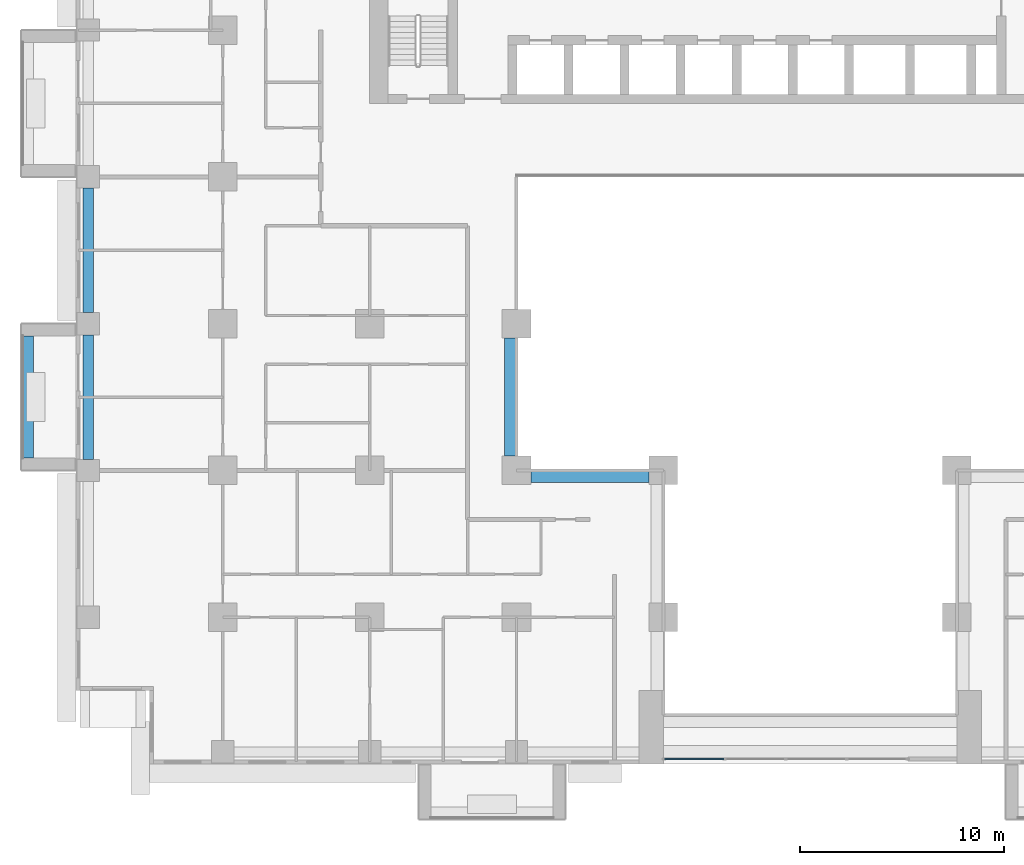
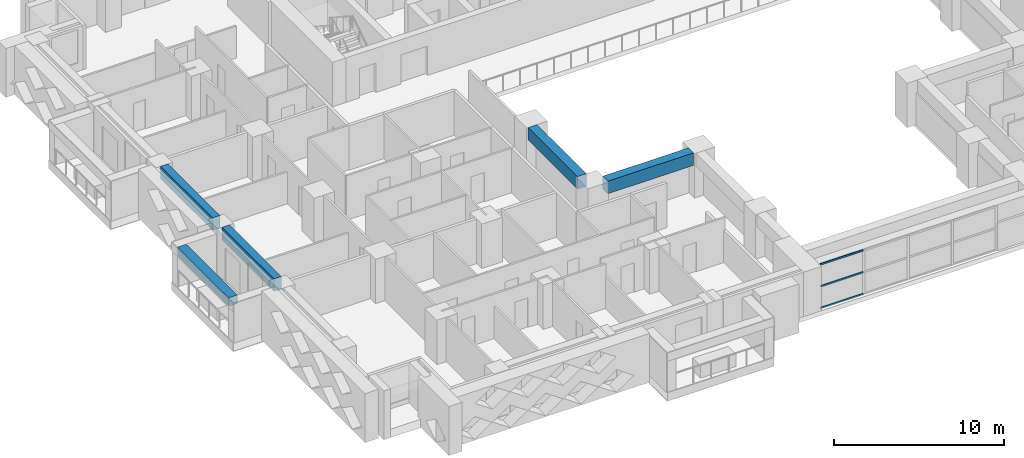
# One storey, part 3 of 17: 5 beams, 3 members, 1 element without a shape of its own.
"""IFC4 building model written with IfcOpenShell, lengths in metres."""

from ifc_helpers import new_model, si_unit, direction, frame, origin, origin_2d, place, context, subcontext, project, spatial, rectangle, extrude, source, transform, mapped, material, layer, layer_set, material_profile, profile_set, type_object, element, aggregate, save


model = new_model("IFC4")

# Units and contexts
model_context = context("Model", 3, precision=1e-05, world=origin(), true_north=direction((0.0, 1.0)))
body_context = subcontext(model_context, "Body", "Model", "MODEL_VIEW")
ifc_project = project(units=[si_unit("LENGTHUNIT", "METRE"), si_unit("AREAUNIT", "SQUARE_METRE"), si_unit("VOLUMEUNIT", "CUBIC_METRE"), si_unit("PLANEANGLEUNIT", "RADIAN"), si_unit("MASSUNIT", "GRAM", prefix="KILO")], contexts=[model_context])

# Site, building, storey
site_placement = place(None, origin())
site = spatial("IfcSite", under=ifc_project, at=site_placement, CompositionType="ELEMENT")
building_placement = place(site_placement, origin())
building = spatial("IfcBuilding", under=site, at=building_placement, Name="Saffron Iwan Residences", CompositionType="ELEMENT")
storey_placement = place(building_placement, frame((0.0, 0.0, 37.5)))
storey = spatial("IfcBuildingStorey", under=building, at=storey_placement, Name="L08", CompositionType="ELEMENT", Elevation=37.5)

# Beams
ifc_material_1 = material(Name="Concrete C60/75", Category="concrete")
ifc_material_profile_1 = material_profile(ifc_material_1, rectangle(XDim=0.5, YDim=0.89990234375, at=origin_2d()), Name="RC 500x900")
ifc_profile_set_1 = profile_set([ifc_material_profile_1], Name="Concrete C60/75")
beam_type_1 = type_object("IfcBeamType", Name="SPANDREL BEAM RC 500x900 C60/75 TOP 3180", PredefinedType="SPANDREL", material=ifc_profile_set_1)
shared_shape_1 = source(origin(), body_context, "Body", "SweptSolid", [
    extrude(rectangle(XDim=0.5, YDim=0.89990234375, at=origin_2d()), origin(), (0.0, 0.0, 1.0), 6.10009765625),
])
beam_1_placement = place(storey_placement, frame((15.0, 55.75, 2.72998046875), z_axis=(0.0, 1.0, 0.0), x_axis=(-1.0, 0.0, 0.0)))
element("IfcBeam", 1, at=beam_1_placement, inside=storey, type_object=beam_type_1, Name="Spandrel beam", PredefinedType="SPANDREL", context=body_context, shape_type="MappedRepresentation", body=[
    mapped(shared_shape_1, transform((0.0, 0.0, 0.0))),
])
shared_shape_2 = source(origin(), body_context, "Body", "SweptSolid", [
    extrude(rectangle(XDim=0.5, YDim=0.89990234375, at=origin_2d()), origin(), (0.0, 0.0, 1.0), 6.099853515625),
])
beam_2_placement = place(storey_placement, frame((15.0, 48.550048828125, 2.72998046875), z_axis=(0.0, 1.0, 0.0), x_axis=(-1.0, 0.0, 0.0)))
element("IfcBeam", 2, at=beam_2_placement, inside=storey, type_object=beam_type_1, Name="Spandrel beam", PredefinedType="SPANDREL", context=body_context, shape_type="MappedRepresentation", body=[
    mapped(shared_shape_2, transform((0.0, 0.0, 0.0))),
])
ifc_material_profile_2 = material_profile(ifc_material_1, rectangle(XDim=0.60009765625, YDim=0.89990234375, at=origin_2d()), Name="RC 600x900")
ifc_profile_set_2 = profile_set([ifc_material_profile_2], Name="Concrete C60/75")
beam_type_2 = type_object("IfcBeamType", Name="BEAM RC 600x900 C60/75 TOP 3180", PredefinedType="BEAM", material=ifc_profile_set_2)
shared_shape_3 = source(origin(), body_context, "Body", "SweptSolid", [
    extrude(rectangle(XDim=0.60009765625, YDim=0.89990234375, at=origin_2d()), origin(), (0.0, 0.0, 1.0), 5.800048828125),
])
for number, where, z_axis, x_axis, name in (
    (3, (42.5, 47.699951171875, 2.72998046875), (-1.0, 0.0, 0.0), (0.0, -1.0, 0.0), "Atrium edge beam"),
    (4, (35.699951171875, 48.699951171875, 2.72998046875), (0.0, 1.0, 0.0), (-1.0, 0.0, 0.0), "Atrium edge beam"),
):
    element("IfcBeam", number, at=place(storey_placement, frame(where, z_axis=z_axis, x_axis=x_axis)), inside=storey, type_object=beam_type_2, Name=name, PredefinedType="BEAM", context=body_context, shape_type="MappedRepresentation", body=[
        mapped(shared_shape_3, transform((0.0, 0.0, 0.0))),
    ])

# Curtain wall, members
ifc_material_2 = material(Name="Clear glass, laminated double glazed", Category="glass")
ifc_layer = layer(ifc_material_2, 0.199951171875)
ifc_layer_set = layer_set([ifc_layer], Name="Clear glass, laminated double glazed")
curtain_wall_type = type_object("IfcCurtainWallType", Name="CW-B IWAN PORTAL", PredefinedType="NOTDEFINED", material=ifc_layer_set)
curtain_wall_placement = place(storey_placement, origin())
curtain_wall = element("IfcCurtainWall", 5, at=curtain_wall_placement, inside=storey, type_object=curtain_wall_type, Name="Iwan portal glazing L08.1", PredefinedType="NOTDEFINED")
ifc_material_3 = material(Name="Aluminium 6063-T6", Category="aluminium")
ifc_material_profile_3 = material_profile(ifc_material_3, rectangle(XDim=0.06005859375, YDim=0.1201171875, at=origin_2d()), Name="CW-B TRANSOM 60 x 120")
ifc_profile_set_3 = profile_set([ifc_material_profile_3], Name="Aluminium 6063-T6")
member_type = type_object("IfcMemberType", Name="CW-B TRANSOM 60 x 120", PredefinedType="USERDEFINED", material=ifc_profile_set_3)
shared_shape_4 = source(origin(), body_context, "Body", "SweptSolid", [
    extrude(rectangle(XDim=0.06005859375, YDim=0.1201171875, at=origin_2d()), origin(), (0.0, 0.0, 1.0), 2.909912109375),
])
member_1_placement = place(storey_placement, frame((43.260009765625, 33.85009765625, 0.030029296875), z_axis=(1.0, 0.0, 0.0), x_axis=(0.0, 1.0, 0.0)))
member_1 = element("IfcMember", 6, at=member_1_placement, type_object=member_type, Name="CW-B transom 1.1", ObjectType="TRANSOM", PredefinedType="USERDEFINED", context=body_context, shape_type="MappedRepresentation", body=[
    mapped(shared_shape_4, transform((0.0, 0.0, 0.0))),
])
member_2_placement = place(storey_placement, frame((43.260009765625, 33.85009765625, 1.590087890625), z_axis=(1.0, 0.0, 0.0), x_axis=(0.0, 1.0, 0.0)))
member_2 = element("IfcMember", 7, at=member_2_placement, type_object=member_type, Name="CW-B transom 1.2", ObjectType="TRANSOM", PredefinedType="USERDEFINED", context=body_context, shape_type="MappedRepresentation", body=[
    mapped(shared_shape_4, transform((0.0, 0.0, 0.0))),
])
member_3_placement = place(storey_placement, frame((43.260009765625, 33.85009765625, 3.14990234375), z_axis=(1.0, 0.0, 0.0), x_axis=(0.0, 1.0, 0.0)))
member_3 = element("IfcMember", 8, at=member_3_placement, type_object=member_type, Name="CW-B transom 1.3", ObjectType="TRANSOM", PredefinedType="USERDEFINED", context=body_context, shape_type="MappedRepresentation", body=[
    mapped(shared_shape_4, transform((0.0, 0.0, 0.0))),
])
aggregate(curtain_wall, [member_1, member_2, member_3])

# Beam
ifc_material_4 = material(Name="Concrete C50/60 white painted", Category="concrete")
ifc_material_profile_4 = material_profile(ifc_material_4, rectangle(XDim=0.60009765625, YDim=0.60009765625, at=origin_2d()), Name="BALCONY FASCIA BEAM 600 x 600")
ifc_profile_set_4 = profile_set([ifc_material_profile_4], Name="Concrete C50/60 white painted")
beam_type_3 = type_object("IfcBeamType", Name="BALCONY FASCIA BEAM 600 x 600", PredefinedType="BEAM", material=ifc_profile_set_4)
shared_shape_5 = source(origin(), body_context, "Body", "SweptSolid", [
    extrude(rectangle(XDim=0.60009765625, YDim=0.60009765625, at=origin_2d()), origin(), (0.0, 0.0, 1.0), 6.0),
])
beam_3_placement = place(storey_placement, frame((12.0, 54.60009765625, 2.550048828125), z_axis=(0.0, -1.0, 0.0), x_axis=(1.0, 0.0, 0.0)))
element("IfcBeam", 9, at=beam_3_placement, inside=storey, type_object=beam_type_3, Name="Balcony fascia beam L08 F8-1", PredefinedType="BEAM", context=body_context, shape_type="MappedRepresentation", body=[
    mapped(shared_shape_5, transform((0.0, 0.0, 0.0))),
])

save(model, "model.ifc")
